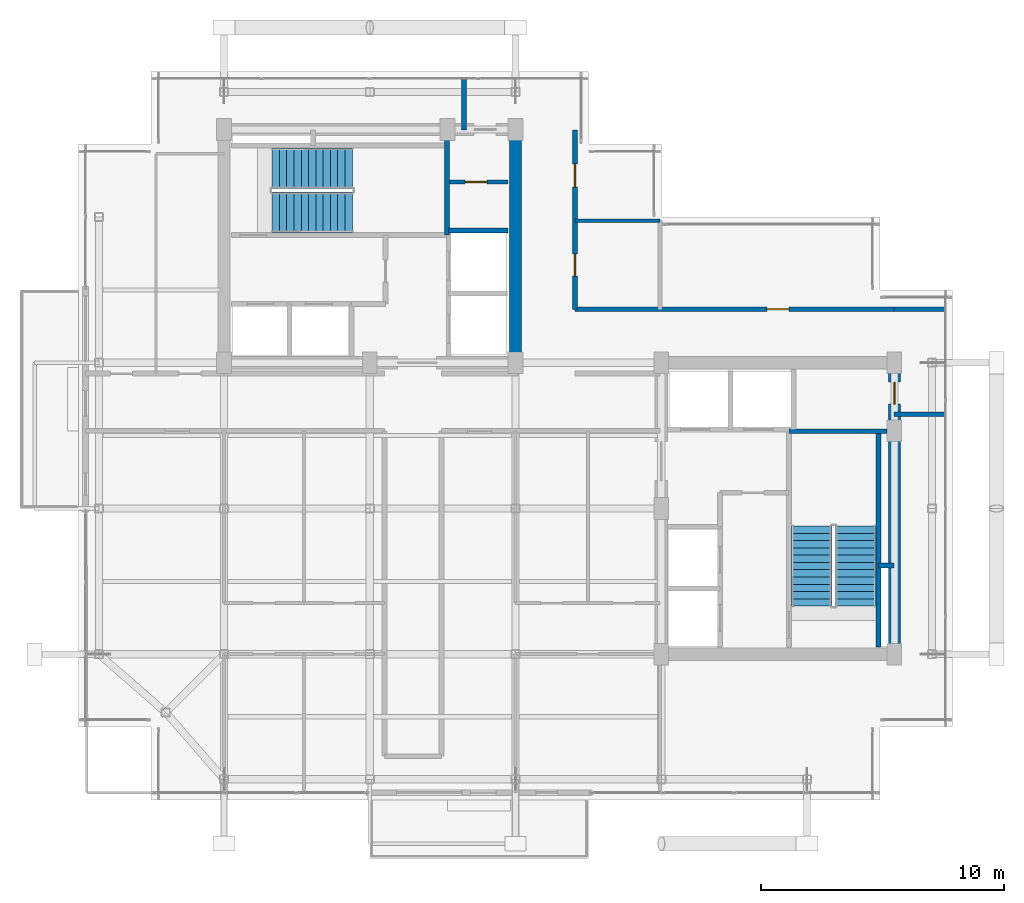
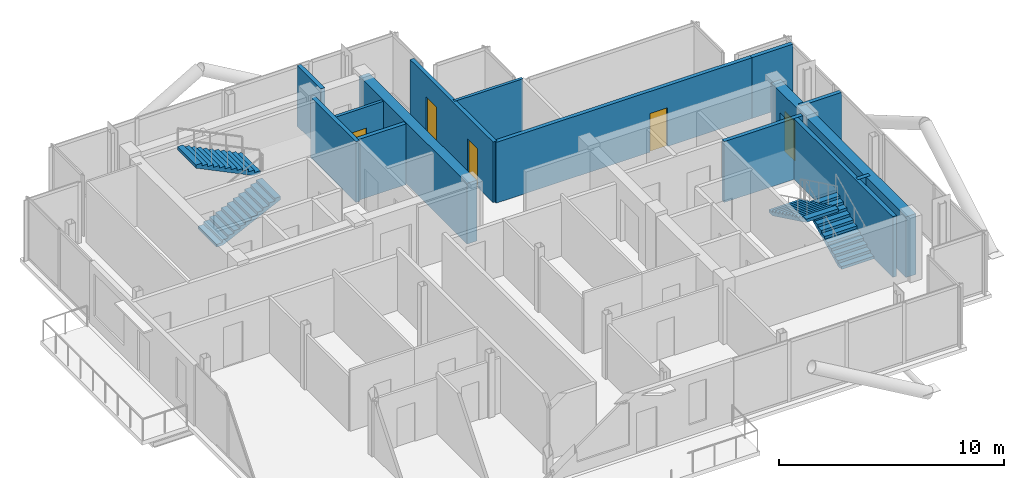
# One storey, part 16 of 18: 14 walls, 5 doors, 4 stair flights, 5 openings, 2 elements without a shape of their own.
"""IFC4 building model written with IfcOpenShell, lengths in metres."""

from ifc_helpers import new_model, si_unit, direction, frame, frame_2d, origin, place, context, subcontext, project, spatial, polyline, rectangle, outline, extrude, material, layer, layer_set, type_object, element, fill, aggregate, save


model = new_model("IFC4")

# Units and contexts
model_context = context("Model", 3, precision=1e-05, world=origin(), true_north=direction((0.0, 1.0)))
body_context = subcontext(model_context, "Body", "Model", "MODEL_VIEW")
ifc_project = project(units=[si_unit("LENGTHUNIT", "METRE"), si_unit("AREAUNIT", "SQUARE_METRE"), si_unit("VOLUMEUNIT", "CUBIC_METRE"), si_unit("PLANEANGLEUNIT", "RADIAN"), si_unit("MASSUNIT", "GRAM", prefix="KILO"), si_unit("THERMODYNAMICTEMPERATUREUNIT", "KELVIN"), si_unit("POWERUNIT", "WATT")], contexts=[model_context])

# Site, building, storey
site_placement = place(None, origin())
site = spatial("IfcSite", under=ifc_project, at=site_placement, CompositionType="ELEMENT")
building_placement = place(site_placement, origin())
building = spatial("IfcBuilding", under=site, at=building_placement, Name="Svarakhadi Broadcast Tower", CompositionType="ELEMENT")
storey_placement = place(building_placement, frame((0.0, 0.0, 250.199951171875)))
storey = spatial("IfcBuildingStorey", under=building, at=storey_placement, Name="L62", CompositionType="ELEMENT", Elevation=250.199951171875)

# Walls
ifc_material_1 = material(Name="Concrete C40/50 (IS 456 M50)", Category="concrete")
ifc_layer_1 = layer(ifc_material_1, 0.199951171875)
ifc_layer_set_1 = layer_set([ifc_layer_1], Name="Concrete C40/50 (IS 456 M50)")
wall_type_1 = type_object("IfcWallType", Name="Wall_Fire_200", PredefinedType="SOLIDWALL", material=ifc_layer_set_1)
wall_1_placement = place(storey_placement, frame((32.93994140625, 9.659912109375, 0.0), z_axis=(0.0, 0.0, 1.0), x_axis=(1.0, 0.0, 0.0)))
element("IfcWall", 1, at=wall_1_placement, inside=storey, type_object=wall_type_1, Name="L62 HV Busduct Riser Shaft North Wall", PredefinedType="SOLIDWALL", context=body_context, shape_type="SweptSolid", body=[
    extrude(rectangle(XDim=0.64013671875, YDim=0.199951171875, at=frame_2d((0.320068359375, 0.0))), origin(), (0.0, 0.0, 1.0), 3.300048828125),
])
wall_2_placement = place(storey_placement, frame((15.8798828125, 27.580078125, 0.0), z_axis=(0.0, 0.0, 1.0), x_axis=(0.0, 1.0, 0.0)))
element("IfcWall", 2, at=wall_2_placement, inside=storey, type_object=wall_type_1, Name="L62 Upper Tower Concourse Wall", PredefinedType="SOLIDWALL", context=body_context, shape_type="SweptSolid", body=[
    extrude(rectangle(XDim=2.119873046875, YDim=0.199951171875, at=frame_2d((1.06005859375, 0.0))), origin(), (0.0, 0.0, 1.0), 3.300048828125),
])

# Wall, openings, doors
wall_3_placement = place(storey_placement, frame((20.449951171875, 27.580078125, 0.0), z_axis=(0.0, 0.0, 1.0), x_axis=(0.0, -1.0, 0.0)))
wall_3 = element("IfcWall", 3, at=wall_3_placement, inside=storey, type_object=wall_type_1, Name="L62 Upper Tower Concourse Wall", PredefinedType="SOLIDWALL", context=body_context, shape_type="SweptSolid", body=[
    extrude(rectangle(XDim=7.380126953125, YDim=0.199951171875, at=frame_2d((3.68994140625, 0.0))), origin(), (0.0, 0.0, 1.0), 3.300048828125),
])
opening_1_placement = place(wall_3_placement, frame((5.10498046875, 0.0, 0.0)))
opening_1 = element("IfcOpeningElement", 4, at=opening_1_placement, cuts=wall_3, Name="Opening D-12", PredefinedType="OPENING", context=body_context, shape_type="SweptSolid", body=[
    extrude(rectangle(XDim=0.89990234375, YDim=2.10009765625, at=frame_2d((0.449951171875, 1.050048828125))), frame((0.0, 0.10986328125, 0.0), z_axis=(0.0, -1.0, 0.0), x_axis=(1.0, 0.0, 0.0)), (0.0, 0.0, 1.0), 0.219970703125),
])
opening_2_placement = place(wall_3_placement, frame((1.405029296875, 0.0, 0.0)))
opening_2 = element("IfcOpeningElement", 5, at=opening_2_placement, cuts=wall_3, Name="Opening D-07", PredefinedType="OPENING", context=body_context, shape_type="SweptSolid", body=[
    extrude(rectangle(XDim=0.949951171875, YDim=2.14990234375, at=frame_2d((0.47509765625, 1.074951171875))), frame((0.0, 0.10986328125, 0.0), z_axis=(0.0, -1.0, 0.0), x_axis=(1.0, 0.0, 0.0)), (0.0, 0.0, 1.0), 0.219970703125),
])
ifc_material_2 = material(Name="Solid-Core Teak Veneer Acoustic Timber Leaf", Category="wood")
door_type_1 = type_object("IfcDoorType", Name="Door_Office_D07", OperationType="SINGLE_SWING_RIGHT", PredefinedType="DOOR", material=ifc_material_2)
door_1_placement = place(opening_2_placement, origin())
door_1 = element("IfcDoor", 6, at=door_1_placement, inside=storey, type_object=door_type_1, Name="L62 Hotel Butler Service Pantry Door", OperationType="SINGLE_SWING_RIGHT", OverallHeight=2.14990234375, OverallWidth=0.949951171875, PredefinedType="DOOR", context=body_context, shape_type="SweptSolid", body=[
    extrude(rectangle(XDim=0.949951171875, YDim=2.14990234375, at=frame_2d((0.47509765625, 1.074951171875))), frame((0.0, 0.02490234375, 0.0), z_axis=(0.0, -1.0, 0.0), x_axis=(1.0, 0.0, 0.0)), (0.0, 0.0, 1.0), 0.050048828125),
])
fill(opening_2, door_1)
door_type_2 = type_object("IfcDoorType", Name="Door_WC_D01", OperationType="SINGLE_SWING_LEFT", PredefinedType="DOOR", material=ifc_material_2)
door_2_placement = place(opening_1_placement, origin())
door_2 = element("IfcDoor", 7, at=door_2_placement, inside=storey, type_object=door_type_2, Name="L62 Accessible Visitor Washroom WC Door", OperationType="SINGLE_SWING_LEFT", OverallHeight=2.10009765625, OverallWidth=0.89990234375, PredefinedType="DOOR", context=body_context, shape_type="SweptSolid", body=[
    extrude(rectangle(XDim=0.89990234375, YDim=2.10009765625, at=frame_2d((0.449951171875, 1.050048828125))), frame((0.0, 0.02490234375, 0.0), z_axis=(0.0, -1.0, 0.0), x_axis=(1.0, 0.0, 0.0)), (0.0, 0.0, 1.0), 0.050048828125),
])
fill(opening_1, door_2)

# Wall, opening, door
wall_4_placement = place(storey_placement, frame((20.449951171875, 20.199951171875, 0.0), z_axis=(0.0, 0.0, 1.0), x_axis=(1.0, 0.0, 0.0)))
wall_4 = element("IfcWall", 8, at=wall_4_placement, inside=storey, type_object=wall_type_1, Name="L62 Upper Tower Concourse Wall", PredefinedType="SOLIDWALL", context=body_context, shape_type="SweptSolid", body=[
    extrude(rectangle(XDim=13.130126953125, YDim=0.199951171875, at=frame_2d((6.56494140625, 0.0))), origin(), (0.0, 0.0, 1.0), 3.300048828125),
])
opening_3_placement = place(wall_4_placement, frame((7.89990234375, 0.0, 0.0)))
opening_3 = element("IfcOpeningElement", 9, at=opening_3_placement, cuts=wall_4, Name="Opening D-14", PredefinedType="OPENING", context=body_context, shape_type="SweptSolid", body=[
    extrude(rectangle(XDim=0.89990234375, YDim=2.10009765625, at=frame_2d((0.449951171875, 1.050048828125))), frame((0.0, 0.10986328125, 0.0), z_axis=(0.0, -1.0, 0.0), x_axis=(1.0, 0.0, 0.0)), (0.0, 0.0, 1.0), 0.219970703125),
])
door_type_3 = type_object("IfcDoorType", Name="Door_Int_D14", OperationType="SINGLE_SWING_LEFT", PredefinedType="DOOR", material=ifc_material_2)
door_3_placement = place(opening_3_placement, origin())
door_3 = element("IfcDoor", 10, at=door_3_placement, inside=storey, type_object=door_type_3, Name="L62 Harbour Sky Club Reading Room Door", OperationType="SINGLE_SWING_LEFT", OverallHeight=2.10009765625, OverallWidth=0.89990234375, PredefinedType="DOOR", context=body_context, shape_type="SweptSolid", body=[
    extrude(rectangle(XDim=0.89990234375, YDim=2.10009765625, at=frame_2d((0.449951171875, 1.050048828125))), frame((0.0, 0.02490234375, 0.0), z_axis=(0.0, -1.0, 0.0), x_axis=(1.0, 0.0, 0.0)), (0.0, 0.0, 1.0), 0.050048828125),
])
fill(opening_3, door_3)

# Walls
for number, where, z_axis, x_axis, name in (
    (11, (33.580078125, 20.199951171875, 0.0), (0.0, 0.0, 1.0), (1.0, 0.0, 0.0), "L62 Upper Tower Concourse Wall"),
    (12, (35.699951171875, 15.8798828125, 0.0), (0.0, 0.0, 1.0), (-1.0, 0.0, 0.0), "L62 Upper Tower Concourse Wall"),
):
    element("IfcWall", number, at=place(storey_placement, frame(where, z_axis=z_axis, x_axis=x_axis)), inside=storey, type_object=wall_type_1, Name=name, PredefinedType="SOLIDWALL", context=body_context, shape_type="SweptSolid", body=[
        extrude(rectangle(XDim=2.119873046875, YDim=0.199951171875, at=frame_2d((1.06005859375, 0.0))), origin(), (0.0, 0.0, 1.0), 3.300048828125),
    ])

# Wall, opening, door
ifc_material_3 = material(Name="Autoclaved Aerated Concrete Blockwork 150 mm", Category="masonry")
ifc_layer_2 = layer(ifc_material_3, 0.14990234375)
ifc_layer_set_2 = layer_set([ifc_layer_2], Name="Autoclaved Aerated Concrete Blockwork 150 mm")
wall_type_2 = type_object("IfcWallType", Name="Wall_Part_150", PredefinedType="PARTITIONING", material=ifc_layer_set_2)
wall_5_placement = place(storey_placement, frame((15.280029296875, 25.43994140625, 0.0), z_axis=(0.0, 0.0, 1.0), x_axis=(1.0, 0.0, 0.0)))
wall_5 = element("IfcWall", 13, at=wall_5_placement, inside=storey, type_object=wall_type_2, Name="L62 West Core Service Split Wall", PredefinedType="PARTITIONING", context=body_context, shape_type="SweptSolid", body=[
    extrude(rectangle(XDim=2.419921875, YDim=0.14990234375, at=frame_2d((1.2099609375, 0.0))), origin(), (0.0, 0.0, 1.0), 3.300048828125),
])
opening_4_placement = place(wall_5_placement, frame((0.64990234375, 0.0, 0.0)))
opening_4 = element("IfcOpeningElement", 14, at=opening_4_placement, cuts=wall_5, Name="Opening D-03", PredefinedType="OPENING", context=body_context, shape_type="SweptSolid", body=[
    extrude(rectangle(XDim=0.89990234375, YDim=2.14990234375, at=frame_2d((0.449951171875, 1.074951171875))), frame((0.0, 0.0849609375, 0.0), z_axis=(0.0, -1.0, 0.0), x_axis=(1.0, 0.0, 0.0)), (0.0, 0.0, 1.0), 0.169921875),
])
ifc_material_4 = material(Name="Galvanised Powder-Coated Fire-Rated Steel Leaf", Category="steel")
door_type_4 = type_object("IfcDoorType", Name="Door_Fire_D03", OperationType="SINGLE_SWING_LEFT", PredefinedType="DOOR", material=ifc_material_4)
door_4_placement = place(opening_4_placement, origin())
door_4 = element("IfcDoor", 15, at=door_4_placement, inside=storey, type_object=door_type_4, Name="L62 West Core Inner Store Door", OperationType="SINGLE_SWING_LEFT", OverallHeight=2.14990234375, OverallWidth=0.89990234375, PredefinedType="DOOR", context=body_context, shape_type="SweptSolid", body=[
    extrude(rectangle(XDim=0.89990234375, YDim=2.14990234375, at=frame_2d((0.449951171875, 1.074951171875))), frame((0.0, 0.02490234375, 0.0), z_axis=(0.0, -1.0, 0.0), x_axis=(1.0, 0.0, 0.0)), (0.0, 0.0, 1.0), 0.050048828125),
])
fill(opening_4, door_4)

# Walls
wall_6_placement = place(storey_placement, frame((20.449951171875, 23.85009765625, 0.0), z_axis=(0.0, 0.0, 1.0), x_axis=(1.0, 0.0, 0.0)))
element("IfcWall", 16, at=wall_6_placement, inside=storey, type_object=wall_type_2, Name="L62 Accessible Visitor Washroom WC Wall", PredefinedType="PARTITIONING", context=body_context, shape_type="SweptSolid", body=[
    extrude(rectangle(XDim=3.5, YDim=0.14990234375, at=frame_2d((1.75, 0.0))), origin(), (0.0, 0.0, 1.0), 3.300048828125),
])
ifc_material_5 = material(Name="Concrete C50/60 (IS 456 M60)", Category="concrete")
ifc_layer_3 = layer(ifc_material_5, 0.199951171875)
ifc_layer_set_3 = layer_set([ifc_layer_3], Name="Concrete C50/60 (IS 456 M60)")
wall_type_3 = type_object("IfcWallType", Name="Wall_Shear_200", PredefinedType="SHEAR", material=ifc_layer_set_3)
wall_7_placement = place(storey_placement, frame((15.179931640625, 23.260009765625, 0.0), z_axis=(0.0, 0.0, 1.0), x_axis=(0.0, 1.0, 0.0)))
element("IfcWall", 17, at=wall_7_placement, inside=storey, type_object=wall_type_3, Name="L62 Stair ST-01 East RC Shaft Wall", PredefinedType="SHEAR", context=body_context, shape_type="SweptSolid", body=[
    extrude(rectangle(XDim=4.0400390625, YDim=0.199951171875, at=frame_2d((2.02001953125, 0.0))), origin(), (0.0, 0.0, 1.0), 3.300048828125),
])
wall_8_placement = place(storey_placement, frame((32.93994140625, 6.300048828125, 0.0), z_axis=(0.0, 0.0, 1.0), x_axis=(0.0, 1.0, 0.0)))
element("IfcWall", 18, at=wall_8_placement, inside=storey, type_object=wall_type_3, Name="L62 Stair ST-02 East RC Shaft Wall", PredefinedType="SHEAR", context=body_context, shape_type="SweptSolid", body=[
    extrude(rectangle(XDim=8.8798828125, YDim=0.199951171875, at=frame_2d((4.43994140625, 0.0))), origin(), (0.0, 0.0, 1.0), 3.300048828125),
])
wall_9_placement = place(storey_placement, frame((29.260009765625, 15.179931640625, 0.0), z_axis=(0.0, 0.0, 1.0), x_axis=(1.0, 0.0, 0.0)))
element("IfcWall", 19, at=wall_9_placement, inside=storey, type_object=wall_type_3, Name="L62 Stair ST-02 North RC Shaft Wall", PredefinedType="SHEAR", context=body_context, shape_type="SweptSolid", body=[
    extrude(rectangle(XDim=4.0400390625, YDim=0.199951171875, at=frame_2d((2.02001953125, 0.0))), origin(), (0.0, 0.0, 1.0), 3.300048828125),
])
wall_10_placement = place(storey_placement, frame((15.25, 23.449951171875, 0.0), z_axis=(0.0, 0.0, 1.0), x_axis=(1.0, 0.0, 0.0)))
element("IfcWall", 20, at=wall_10_placement, inside=storey, type_object=wall_type_3, Name="L62 High-Rise Lift LF-13/14 North Wall", PredefinedType="SHEAR", context=body_context, shape_type="SweptSolid", body=[
    extrude(rectangle(XDim=2.449951171875, YDim=0.199951171875, at=frame_2d((1.22509765625, 0.0))), origin(), (0.0, 0.0, 1.0), 3.300048828125),
])
ifc_layer_4 = layer(ifc_material_5, 0.5)
ifc_layer_set_4 = layer_set([ifc_layer_4], Name="Concrete C50/60 (IS 456 M60)")
wall_type_4 = type_object("IfcWallType", Name="Wall_Shear_500", PredefinedType="SHEAR", material=ifc_layer_set_4)
wall_11_placement = place(storey_placement, frame((18.0, 18.0, 0.0), z_axis=(0.0, 0.0, 1.0), x_axis=(0.0, 1.0, 0.0)))
element("IfcWall", 21, at=wall_11_placement, inside=storey, type_object=wall_type_4, Name="L62 West Core East Shear Wall", PredefinedType="SHEAR", context=body_context, shape_type="SweptSolid", body=[
    extrude(rectangle(XDim=9.60009765625, YDim=0.5, at=frame_2d((4.800048828125, 0.0))), origin(), (0.0, 0.0, 1.0), 3.300048828125),
])

# Wall, opening, door
wall_12_placement = place(storey_placement, frame((33.60009765625, 6.0, 0.0), z_axis=(0.0, 0.0, 1.0), x_axis=(0.0, 1.0, 0.0)))
wall_12 = element("IfcWall", 22, at=wall_12_placement, inside=storey, type_object=wall_type_4, Name="L62 East Core East Shear Wall", PredefinedType="SHEAR", context=body_context, shape_type="SweptSolid", body=[
    extrude(rectangle(XDim=12.0, YDim=0.5, at=frame_2d((6.0, 0.0))), origin(), (0.0, 0.0, 1.0), 3.300048828125),
])
opening_5_placement = place(wall_12_placement, frame((10.300048828125, 0.0, 0.0)))
opening_5 = element("IfcOpeningElement", 23, at=opening_5_placement, cuts=wall_12, Name="Opening D-03", PredefinedType="OPENING", context=body_context, shape_type="SweptSolid", body=[
    extrude(rectangle(XDim=0.89990234375, YDim=2.14990234375, at=frame_2d((0.449951171875, 1.074951171875))), frame((0.0, 0.260009765625, 0.0), z_axis=(0.0, -1.0, 0.0), x_axis=(1.0, 0.0, 0.0)), (0.0, 0.0, 1.0), 0.52001953125),
])
door_5_placement = place(opening_5_placement, origin())
door_5 = element("IfcDoor", 24, at=door_5_placement, inside=storey, type_object=door_type_4, Name="L62 East Core Service Store Door", OperationType="SINGLE_SWING_LEFT", OverallHeight=2.14990234375, OverallWidth=0.89990234375, PredefinedType="DOOR", context=body_context, shape_type="SweptSolid", body=[
    extrude(rectangle(XDim=0.89990234375, YDim=2.14990234375, at=frame_2d((0.449951171875, 1.074951171875))), frame((0.0, 0.02490234375, 0.0), z_axis=(0.0, -1.0, 0.0), x_axis=(1.0, 0.0, 0.0)), (0.0, 0.0, 1.0), 0.050048828125),
])
fill(opening_5, door_5)

# Stair, stair flights
stair_type = type_object("IfcStairType", Name="Stair_Exit_Core", PredefinedType="HALF_TURN_STAIR", material=ifc_material_1)
stair_1_placement = place(storey_placement, origin())
stair_1 = element("IfcStair", 25, at=stair_1_placement, inside=storey, type_object=stair_type, Name="L62 West Core Protected Exit Stair ST-01", PredefinedType="HALF_TURN_STAIR")
stair_flight_type = type_object("IfcStairFlightType", Name="Flight_RC_1680", PredefinedType="STRAIGHT", material=ifc_material_1)
stair_flight_1_placement = place(storey_placement, frame((7.97998046875, 24.18994140625, 0.0), z_axis=(0.0, 0.0, 1.0), x_axis=(1.0, 0.0, 0.0)))
stair_flight_1 = element("IfcStairFlight", 26, at=stair_flight_1_placement, type_object=stair_flight_type, Name="ST-01 flight 1", NumberOfRisers=12, NumberOfTreads=11, PredefinedType="STRAIGHT", RiserHeight=0.145833333, TreadLength=0.3, context=body_context, shape_type="SweptSolid", body=[
    extrude(outline(polyline([(0.0, 0.0), (0.0, 0.145751953125), (0.300048828125, 0.145751953125), (0.300048828125, 0.291748046875), (0.60009765625, 0.291748046875), (0.60009765625, 0.4375), (0.89990234375, 0.4375), (0.89990234375, 0.583251953125), (1.199951171875, 0.583251953125), (1.199951171875, 0.729248046875), (1.5, 0.729248046875), (1.5, 0.875), (1.800048828125, 0.875), (1.800048828125, 1.020751953125), (2.10009765625, 1.020751953125), (2.10009765625, 1.166748046875), (2.39990234375, 1.166748046875), (2.39990234375, 1.3125), (2.699951171875, 1.3125), (2.699951171875, 1.458251953125), (3.0, 1.458251953125), (3.0, 1.604248046875), (3.300048828125, 1.604248046875), (3.300048828125, 1.75), (3.300048828125, 1.4375), (0.3427734375, 0.0), (0.0, 0.0)])), frame((0.0, 0.830078125, 0.0), z_axis=(0.0, -1.0, 0.0), x_axis=(1.0, 0.0, 0.0)), (0.0, 0.0, 1.0), 1.659912109375),
])
stair_flight_2_placement = place(storey_placement, frame((11.280029296875, 26.010009765625, 1.75), z_axis=(0.0, 0.0, 1.0), x_axis=(-1.0, 0.0, 0.0)))
stair_flight_2 = element("IfcStairFlight", 27, at=stair_flight_2_placement, type_object=stair_flight_type, Name="ST-01 flight 2", NumberOfRisers=12, NumberOfTreads=11, PredefinedType="STRAIGHT", RiserHeight=0.145833333, TreadLength=0.3, context=body_context, shape_type="SweptSolid", body=[
    extrude(outline(polyline([(0.0, 0.0), (0.0, 0.145751953125), (0.300048828125, 0.145751953125), (0.300048828125, 0.291748046875), (0.60009765625, 0.291748046875), (0.60009765625, 0.4375), (0.89990234375, 0.4375), (0.89990234375, 0.583251953125), (1.199951171875, 0.583251953125), (1.199951171875, 0.729248046875), (1.5, 0.729248046875), (1.5, 0.875), (1.800048828125, 0.875), (1.800048828125, 1.020751953125), (2.10009765625, 1.020751953125), (2.10009765625, 1.166748046875), (2.39990234375, 1.166748046875), (2.39990234375, 1.3125), (2.699951171875, 1.3125), (2.699951171875, 1.458251953125), (3.0, 1.458251953125), (3.0, 1.604248046875), (3.300048828125, 1.604248046875), (3.300048828125, 1.75), (3.300048828125, 1.4375), (0.3427734375, 0.0), (0.0, 0.0)])), frame((0.0, 0.830078125, 0.0), z_axis=(0.0, -1.0, 0.0), x_axis=(1.0, 0.0, 0.0)), (0.0, 0.0, 1.0), 1.659912109375),
])
aggregate(stair_1, [stair_flight_1, stair_flight_2])

stair_2_placement = place(storey_placement, origin())
stair_2 = element("IfcStair", 28, at=stair_2_placement, inside=storey, type_object=stair_type, Name="L62 East Core Protected Exit Stair ST-02", PredefinedType="HALF_TURN_STAIR")
stair_flight_3_placement = place(storey_placement, frame((32.010009765625, 7.97998046875, 0.0), z_axis=(0.0, 0.0, 1.0), x_axis=(0.0, 1.0, 0.0)))
stair_flight_3 = element("IfcStairFlight", 29, at=stair_flight_3_placement, type_object=stair_flight_type, Name="ST-02 flight 1", NumberOfRisers=12, NumberOfTreads=11, PredefinedType="STRAIGHT", RiserHeight=0.145833333, TreadLength=0.3, context=body_context, shape_type="SweptSolid", body=[
    extrude(outline(polyline([(0.0, 0.0), (0.0, 0.145751953125), (0.300048828125, 0.145751953125), (0.300048828125, 0.291748046875), (0.60009765625, 0.291748046875), (0.60009765625, 0.4375), (0.89990234375, 0.4375), (0.89990234375, 0.583251953125), (1.199951171875, 0.583251953125), (1.199951171875, 0.729248046875), (1.5, 0.729248046875), (1.5, 0.875), (1.800048828125, 0.875), (1.800048828125, 1.020751953125), (2.10009765625, 1.020751953125), (2.10009765625, 1.166748046875), (2.39990234375, 1.166748046875), (2.39990234375, 1.3125), (2.699951171875, 1.3125), (2.699951171875, 1.458251953125), (3.0, 1.458251953125), (3.0, 1.604248046875), (3.300048828125, 1.604248046875), (3.300048828125, 1.75), (3.300048828125, 1.4375), (0.3427734375, 0.0), (0.0, 0.0)])), frame((0.0, 0.830078125, 0.0), z_axis=(0.0, -1.0, 0.0), x_axis=(1.0, 0.0, 0.0)), (0.0, 0.0, 1.0), 1.659912109375),
])
stair_flight_4_placement = place(storey_placement, frame((30.18994140625, 11.280029296875, 1.75), z_axis=(0.0, 0.0, 1.0), x_axis=(0.0, -1.0, 0.0)))
stair_flight_4 = element("IfcStairFlight", 30, at=stair_flight_4_placement, type_object=stair_flight_type, Name="ST-02 flight 2", NumberOfRisers=12, NumberOfTreads=11, PredefinedType="STRAIGHT", RiserHeight=0.145833333, TreadLength=0.3, context=body_context, shape_type="SweptSolid", body=[
    extrude(outline(polyline([(0.0, 0.0), (0.0, 0.145751953125), (0.300048828125, 0.145751953125), (0.300048828125, 0.291748046875), (0.60009765625, 0.291748046875), (0.60009765625, 0.4375), (0.89990234375, 0.4375), (0.89990234375, 0.583251953125), (1.199951171875, 0.583251953125), (1.199951171875, 0.729248046875), (1.5, 0.729248046875), (1.5, 0.875), (1.800048828125, 0.875), (1.800048828125, 1.020751953125), (2.10009765625, 1.020751953125), (2.10009765625, 1.166748046875), (2.39990234375, 1.166748046875), (2.39990234375, 1.3125), (2.699951171875, 1.3125), (2.699951171875, 1.458251953125), (3.0, 1.458251953125), (3.0, 1.604248046875), (3.300048828125, 1.604248046875), (3.300048828125, 1.75), (3.300048828125, 1.4375), (0.3427734375, 0.0), (0.0, 0.0)])), frame((0.0, 0.830078125, 0.0), z_axis=(0.0, -1.0, 0.0), x_axis=(1.0, 0.0, 0.0)), (0.0, 0.0, 1.0), 1.659912109375),
])
aggregate(stair_2, [stair_flight_3, stair_flight_4])

save(model, "model.ifc")
